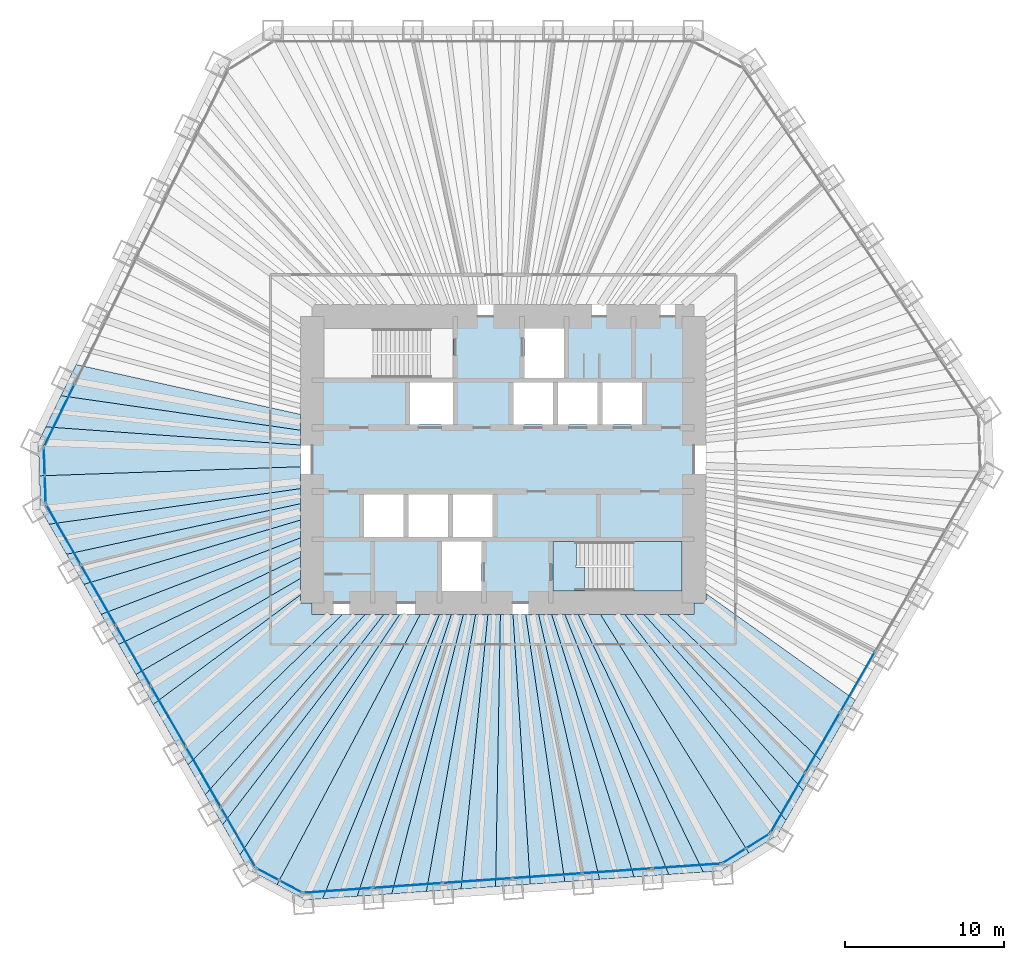
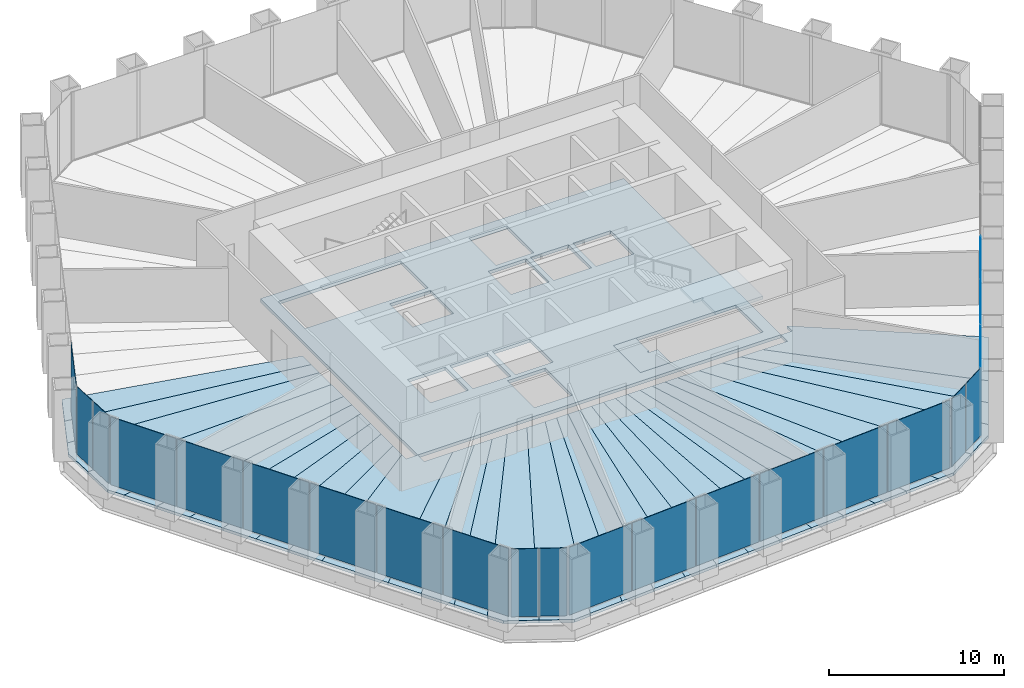
# One storey, part 8 of 13: 35 slabs, 22 plates, 8 elements without a shape of their own.
"""IFC4 building model written with IfcOpenShell, lengths in metres."""

from ifc_helpers import new_model, si_unit, direction, frame, origin, origin_2d, place, context, subcontext, project, spatial, polyline, rectangle, outline, extrude, material, layer, layer_set, type_object, element, aggregate, save


model = new_model("IFC4")

# Units and contexts
model_context = context("Model", 3, precision=1e-05, world=origin(), true_north=direction((0.0, 1.0)))
body_context = subcontext(model_context, "Body", "Model", "MODEL_VIEW")
ifc_project = project(units=[si_unit("LENGTHUNIT", "METRE"), si_unit("AREAUNIT", "SQUARE_METRE"), si_unit("VOLUMEUNIT", "CUBIC_METRE"), si_unit("PLANEANGLEUNIT", "RADIAN"), si_unit("MASSUNIT", "GRAM", prefix="KILO")], contexts=[model_context])

# Site, building, storey
site_placement = place(None, origin())
site = spatial("IfcSite", under=ifc_project, at=site_placement, CompositionType="ELEMENT")
building_placement = place(site_placement, origin())
building = spatial("IfcBuilding", under=site, at=building_placement, Name="Qingtian Harvest Tower", CompositionType="ELEMENT")
storey_placement = place(building_placement, frame((0.0, 0.0, 72.0)))
storey = spatial("IfcBuildingStorey", under=building, at=storey_placement, Name="L14", CompositionType="ELEMENT", Elevation=72.0)

# Slabs
ifc_material_1 = material(Name="Concrete fc' 35 MPa", Category="concrete")
ifc_layer_1 = layer(ifc_material_1, 0.199951171875)
ifc_layer_set_1 = layer_set([ifc_layer_1], Name="Composite floor slab FS20 200")
slab_type_1 = type_object("IfcSlabType", Name="Composite floor slab FS20 200", PredefinedType="FLOOR", material=ifc_layer_set_1)
slab_1_placement = place(storey_placement, frame((0.0, 0.0, -0.199951171875)))
element("IfcSlab", 1, at=slab_1_placement, inside=storey, type_object=slab_type_1, Name="Floor slab L14 panel D01", PredefinedType="FLOOR", context=body_context, shape_type="SweptSolid", body=[
    extrude(outline(polyline([(-29.157470703125, -1.018310546875), (-12.75, -0.447509765625), (-12.75, -1.822998046875), (-28.548583984375, -4.062255859375), (-29.08349609375, -3.135986328125), (-29.157470703125, -1.018310546875)])), origin(), (0.0, 0.0, 1.0), 0.199951171875),
])
slab_2_placement = place(storey_placement, frame((0.0, 0.0, -0.199951171875)))
element("IfcSlab", 2, at=slab_2_placement, inside=storey, type_object=slab_type_1, Name="Floor slab L14 panel D02", PredefinedType="FLOOR", context=body_context, shape_type="SweptSolid", body=[
    extrude(outline(polyline([(-12.75, -2.773681640625), (-27.45751953125, -5.9521484375), (-28.548583984375, -4.062255859375), (-12.75, -1.822998046875), (-12.75, -2.773681640625)])), origin(), (0.0, 0.0, 1.0), 0.199951171875),
])
slab_3_placement = place(storey_placement, frame((0.0, 0.0, -0.199951171875)))
element("IfcSlab", 3, at=slab_3_placement, inside=storey, type_object=slab_type_1, Name="Floor slab L14 panel D03", PredefinedType="FLOOR", context=body_context, shape_type="SweptSolid", body=[
    extrude(outline(polyline([(-12.75, -3.80322265625), (-26.366455078125, -7.842041015625), (-27.45751953125, -5.9521484375), (-12.75, -2.773681640625), (-12.75, -3.80322265625)])), origin(), (0.0, 0.0, 1.0), 0.199951171875),
])
slab_4_placement = place(storey_placement, frame((0.0, 0.0, -0.199951171875)))
element("IfcSlab", 4, at=slab_4_placement, inside=storey, type_object=slab_type_1, Name="Floor slab L14 panel D04", PredefinedType="FLOOR", context=body_context, shape_type="SweptSolid", body=[
    extrude(outline(polyline([(-12.75, -4.921875), (-25.275146484375, -9.732177734375), (-26.366455078125, -7.842041015625), (-12.75, -3.80322265625), (-12.75, -4.921875)])), origin(), (0.0, 0.0, 1.0), 0.199951171875),
])
slab_5_placement = place(storey_placement, frame((0.0, 0.0, -0.199951171875)))
element("IfcSlab", 5, at=slab_5_placement, inside=storey, type_object=slab_type_1, Name="Floor slab L14 panel D05", PredefinedType="FLOOR", context=body_context, shape_type="SweptSolid", body=[
    extrude(outline(polyline([(-12.75, -6.141357421875), (-24.18408203125, -11.6220703125), (-25.275146484375, -9.732177734375), (-12.75, -4.921875), (-12.75, -6.141357421875)])), origin(), (0.0, 0.0, 1.0), 0.199951171875),
])
slab_6_placement = place(storey_placement, frame((0.0, 0.0, -0.199951171875)))
element("IfcSlab", 6, at=slab_6_placement, inside=storey, type_object=slab_type_1, Name="Floor slab L14 panel D06", PredefinedType="FLOOR", context=body_context, shape_type="SweptSolid", body=[
    extrude(outline(polyline([(-12.75, -7.4765625), (-23.0927734375, -13.511962890625), (-24.18408203125, -11.6220703125), (-12.75, -6.141357421875), (-12.75, -7.4765625)])), origin(), (0.0, 0.0, 1.0), 0.199951171875),
])
slab_7_placement = place(storey_placement, frame((0.0, 0.0, -0.199951171875)))
element("IfcSlab", 7, at=slab_7_placement, inside=storey, type_object=slab_type_1, Name="Floor slab L14 panel D07", PredefinedType="FLOOR", context=body_context, shape_type="SweptSolid", body=[
    extrude(outline(polyline([(-12.75, -8.512451171875), (-22.00537109375, -15.3955078125), (-23.0927734375, -13.511962890625), (-12.75, -7.4765625), (-12.75, -8.512451171875)])), origin(), (0.0, 0.0, 1.0), 0.199951171875),
])
slab_8_placement = place(storey_placement, frame((0.0, 0.0, -0.199951171875)))
element("IfcSlab", 8, at=slab_8_placement, inside=storey, type_object=slab_type_1, Name="Floor slab L14 panel D09", PredefinedType="FLOOR", context=body_context, shape_type="SweptSolid", body=[
    extrude(outline(polyline([(-19.81982421875, -19.18115234375), (-22.00537109375, -15.3955078125), (-12.75, -8.512451171875), (-12.75, -9.0), (-12.0, -9.0), (-12.0, -9.75), (-10.1123046875, -9.75), (-19.81982421875, -19.18115234375)])), origin(), (0.0, 0.0, 1.0), 0.199951171875),
])
slab_9_placement = place(storey_placement, frame((0.0, 0.0, -0.199951171875)))
element("IfcSlab", 9, at=slab_9_placement, inside=storey, type_object=slab_type_1, Name="Floor slab L14 panel D10", PredefinedType="FLOOR", context=body_context, shape_type="SweptSolid", body=[
    extrude(outline(polyline([(-8.694580078125, -9.75), (-18.728515625, -21.0712890625), (-19.81982421875, -19.18115234375), (-10.1123046875, -9.75), (-8.694580078125, -9.75)])), origin(), (0.0, 0.0, 1.0), 0.199951171875),
])
slab_10_placement = place(storey_placement, frame((0.0, 0.0, -0.199951171875)))
element("IfcSlab", 10, at=slab_10_placement, inside=storey, type_object=slab_type_1, Name="Floor slab L14 panel D11", PredefinedType="FLOOR", context=body_context, shape_type="SweptSolid", body=[
    extrude(outline(polyline([(-7.511474609375, -9.75), (-17.63720703125, -22.961181640625), (-18.728515625, -21.0712890625), (-8.694580078125, -9.75), (-7.511474609375, -9.75)])), origin(), (0.0, 0.0, 1.0), 0.199951171875),
])
slab_11_placement = place(storey_placement, frame((0.0, 0.0, -0.199951171875)))
element("IfcSlab", 11, at=slab_11_placement, inside=storey, type_object=slab_type_1, Name="Floor slab L14 panel D12", PredefinedType="FLOOR", context=body_context, shape_type="SweptSolid", body=[
    extrude(outline(polyline([(-6.509033203125, -9.75), (-16.546142578125, -24.851318359375), (-17.63720703125, -22.961181640625), (-7.511474609375, -9.75), (-6.509033203125, -9.75)])), origin(), (0.0, 0.0, 1.0), 0.199951171875),
])
slab_12_placement = place(storey_placement, frame((0.0, 0.0, -0.199951171875)))
element("IfcSlab", 12, at=slab_12_placement, inside=storey, type_object=slab_type_1, Name="Floor slab L14 panel D13", PredefinedType="FLOOR", context=body_context, shape_type="SweptSolid", body=[
    extrude(outline(polyline([(-6.509033203125, -9.75), (-5.213623046875, -9.75), (-14.214599609375, -26.73291015625), (-16.01123046875, -25.777587890625), (-16.546142578125, -24.851318359375), (-6.509033203125, -9.75)])), origin(), (0.0, 0.0, 1.0), 0.199951171875),
])
slab_13_placement = place(storey_placement, frame((0.0, 0.0, -0.199951171875)))
element("IfcSlab", 13, at=slab_13_placement, inside=storey, type_object=slab_type_1, Name="Floor slab L14 panel D14", PredefinedType="FLOOR", context=body_context, shape_type="SweptSolid", body=[
    extrude(outline(polyline([(-5.213623046875, -9.75), (-4.006591796875, -9.75), (-11.350341796875, -27.614013671875), (-12.417236328125, -27.688720703125), (-14.214599609375, -26.73291015625), (-5.213623046875, -9.75)])), origin(), (0.0, 0.0, 1.0), 0.199951171875),
])
slab_14_placement = place(storey_placement, frame((0.0, 0.0, -0.199951171875)))
element("IfcSlab", 14, at=slab_14_placement, inside=storey, type_object=slab_type_1, Name="Floor slab L14 panel D15", PredefinedType="FLOOR", context=body_context, shape_type="SweptSolid", body=[
    extrude(outline(polyline([(-3.255859375, -9.75), (-9.17333984375, -27.4619140625), (-11.350341796875, -27.614013671875), (-4.006591796875, -9.75), (-3.255859375, -9.75)])), origin(), (0.0, 0.0, 1.0), 0.199951171875),
])
slab_15_placement = place(storey_placement, frame((0.0, 0.0, -0.199951171875)))
element("IfcSlab", 15, at=slab_15_placement, inside=storey, type_object=slab_type_1, Name="Floor slab L14 panel D16", PredefinedType="FLOOR", context=body_context, shape_type="SweptSolid", body=[
    extrude(outline(polyline([(-2.496826171875, -9.75), (-6.996337890625, -27.3095703125), (-9.17333984375, -27.4619140625), (-3.255859375, -9.75), (-2.496826171875, -9.75)])), origin(), (0.0, 0.0, 1.0), 0.199951171875),
])
slab_16_placement = place(storey_placement, frame((0.0, 0.0, -0.199951171875)))
element("IfcSlab", 16, at=slab_16_placement, inside=storey, type_object=slab_type_1, Name="Floor slab L14 panel D17", PredefinedType="FLOOR", context=body_context, shape_type="SweptSolid", body=[
    extrude(outline(polyline([(-1.729248046875, -9.75), (-4.8193359375, -27.1572265625), (-6.996337890625, -27.3095703125), (-2.496826171875, -9.75), (-1.729248046875, -9.75)])), origin(), (0.0, 0.0, 1.0), 0.199951171875),
])
slab_17_placement = place(storey_placement, frame((0.0, 0.0, -0.199951171875)))
element("IfcSlab", 17, at=slab_17_placement, inside=storey, type_object=slab_type_1, Name="Floor slab L14 panel D18", PredefinedType="FLOOR", context=body_context, shape_type="SweptSolid", body=[
    extrude(outline(polyline([(-0.952880859375, -9.75), (-2.642333984375, -27.005126953125), (-4.8193359375, -27.1572265625), (-1.729248046875, -9.75), (-0.952880859375, -9.75)])), origin(), (0.0, 0.0, 1.0), 0.199951171875),
])
slab_18_placement = place(storey_placement, frame((0.0, 0.0, -0.199951171875)))
element("IfcSlab", 18, at=slab_18_placement, inside=storey, type_object=slab_type_1, Name="Floor slab L14 panel D19", PredefinedType="FLOOR", context=body_context, shape_type="SweptSolid", body=[
    extrude(outline(polyline([(-0.16796875, -9.75), (-0.46533203125, -26.852783203125), (-2.642333984375, -27.005126953125), (-0.952880859375, -9.75), (-0.16796875, -9.75)])), origin(), (0.0, 0.0, 1.0), 0.199951171875),
])
slab_19_placement = place(storey_placement, frame((0.0, 0.0, -0.199951171875)))
element("IfcSlab", 19, at=slab_19_placement, inside=storey, type_object=slab_type_1, Name="Floor slab L14 panel D20", PredefinedType="FLOOR", context=body_context, shape_type="SweptSolid", body=[
    extrude(outline(polyline([(0.626220703125, -9.75), (1.711669921875, -26.70068359375), (-0.46533203125, -26.852783203125), (-0.16796875, -9.75), (0.626220703125, -9.75)])), origin(), (0.0, 0.0, 1.0), 0.199951171875),
])
slab_20_placement = place(storey_placement, frame((0.0, 0.0, -0.199951171875)))
element("IfcSlab", 20, at=slab_20_placement, inside=storey, type_object=slab_type_1, Name="Floor slab L14 panel D21", PredefinedType="FLOOR", context=body_context, shape_type="SweptSolid", body=[
    extrude(outline(polyline([(1.42919921875, -9.75), (3.888671875, -26.54833984375), (1.711669921875, -26.70068359375), (0.626220703125, -9.75), (1.42919921875, -9.75)])), origin(), (0.0, 0.0, 1.0), 0.199951171875),
])
slab_21_placement = place(storey_placement, frame((0.0, 0.0, -0.199951171875)))
element("IfcSlab", 21, at=slab_21_placement, inside=storey, type_object=slab_type_1, Name="Floor slab L14 panel D22", PredefinedType="FLOOR", context=body_context, shape_type="SweptSolid", body=[
    extrude(outline(polyline([(2.24169921875, -9.75), (6.065673828125, -26.396240234375), (3.888671875, -26.54833984375), (1.42919921875, -9.75), (2.24169921875, -9.75)])), origin(), (0.0, 0.0, 1.0), 0.199951171875),
])
slab_22_placement = place(storey_placement, frame((0.0, 0.0, -0.199951171875)))
element("IfcSlab", 22, at=slab_22_placement, inside=storey, type_object=slab_type_1, Name="Floor slab L14 panel D23", PredefinedType="FLOOR", context=body_context, shape_type="SweptSolid", body=[
    extrude(outline(polyline([(3.0634765625, -9.75), (8.24267578125, -26.243896484375), (6.065673828125, -26.396240234375), (2.24169921875, -9.75), (3.0634765625, -9.75)])), origin(), (0.0, 0.0, 1.0), 0.199951171875),
])
slab_23_placement = place(storey_placement, frame((0.0, 0.0, -0.199951171875)))
element("IfcSlab", 23, at=slab_23_placement, inside=storey, type_object=slab_type_1, Name="Floor slab L14 panel D24", PredefinedType="FLOOR", context=body_context, shape_type="SweptSolid", body=[
    extrude(outline(polyline([(3.894775390625, -9.75), (10.419677734375, -26.091796875), (8.24267578125, -26.243896484375), (3.0634765625, -9.75), (3.894775390625, -9.75)])), origin(), (0.0, 0.0, 1.0), 0.199951171875),
])
slab_24_placement = place(storey_placement, frame((0.0, 0.0, -0.199951171875)))
element("IfcSlab", 24, at=slab_24_placement, inside=storey, type_object=slab_type_1, Name="Floor slab L14 panel D25", PredefinedType="FLOOR", context=body_context, shape_type="SweptSolid", body=[
    extrude(outline(polyline([(4.736083984375, -9.75), (12.5966796875, -25.939453125), (10.419677734375, -26.091796875), (3.894775390625, -9.75), (4.736083984375, -9.75)])), origin(), (0.0, 0.0, 1.0), 0.199951171875),
])
slab_25_placement = place(storey_placement, frame((0.0, 0.0, -0.199951171875)))
element("IfcSlab", 25, at=slab_25_placement, inside=storey, type_object=slab_type_1, Name="Floor slab L14 panel D26", PredefinedType="FLOOR", context=body_context, shape_type="SweptSolid", body=[
    extrude(outline(polyline([(4.736083984375, -9.75), (6.136474609375, -9.75), (15.4609375, -24.74169921875), (13.663330078125, -25.864990234375), (12.5966796875, -25.939453125), (4.736083984375, -9.75)])), origin(), (0.0, 0.0, 1.0), 0.199951171875),
])
slab_26_placement = place(storey_placement, frame((0.0, 0.0, -0.199951171875)))
element("IfcSlab", 26, at=slab_26_placement, inside=storey, type_object=slab_type_1, Name="Floor slab L14 panel D27", PredefinedType="FLOOR", context=body_context, shape_type="SweptSolid", body=[
    extrude(outline(polyline([(6.136474609375, -9.75), (7.66748046875, -9.75), (17.79248046875, -22.692626953125), (17.257568359375, -23.618896484375), (15.4609375, -24.74169921875), (6.136474609375, -9.75)])), origin(), (0.0, 0.0, 1.0), 0.199951171875),
])
slab_27_placement = place(storey_placement, frame((0.0, 0.0, -0.199951171875)))
element("IfcSlab", 27, at=slab_27_placement, inside=storey, type_object=slab_type_1, Name="Floor slab L14 panel D28", PredefinedType="FLOOR", context=body_context, shape_type="SweptSolid", body=[
    extrude(outline(polyline([(8.88037109375, -9.75), (18.883544921875, -20.802734375), (17.79248046875, -22.692626953125), (7.66748046875, -9.75), (8.88037109375, -9.75)])), origin(), (0.0, 0.0, 1.0), 0.199951171875),
])
slab_28_placement = place(storey_placement, frame((0.0, 0.0, -0.199951171875)))
element("IfcSlab", 28, at=slab_28_placement, inside=storey, type_object=slab_type_1, Name="Floor slab L14 panel D29", PredefinedType="FLOOR", context=body_context, shape_type="SweptSolid", body=[
    extrude(outline(polyline([(10.337158203125, -9.75), (19.974853515625, -18.91259765625), (18.883544921875, -20.802734375), (8.88037109375, -9.75), (10.337158203125, -9.75)])), origin(), (0.0, 0.0, 1.0), 0.199951171875),
])
slab_29_placement = place(storey_placement, frame((0.0, 0.0, -0.199951171875)))
element("IfcSlab", 29, at=slab_29_placement, inside=storey, type_object=slab_type_1, Name="Floor slab L14 panel D31", PredefinedType="FLOOR", context=body_context, shape_type="SweptSolid", body=[
    extrude(outline(polyline([(12.75, -8.4091796875), (22.159423828125, -15.128662109375), (19.974853515625, -18.91259765625), (10.337158203125, -9.75), (12.0, -9.75), (12.0, -9.0), (12.75, -9.0), (12.75, -8.4091796875)])), origin(), (0.0, 0.0, 1.0), 0.199951171875),
])
slab_30_placement = place(storey_placement, frame((0.0, 0.0, -0.199951171875)))
element("IfcSlab", 30, at=slab_30_placement, inside=storey, type_object=slab_type_1, Name="Floor slab L14 panel D76", PredefinedType="FLOOR", context=body_context, shape_type="SweptSolid", body=[
    extrude(outline(polyline([(-12.75, 1.8525390625), (-27.805908203125, 4.022216796875), (-26.84912109375, 5.98388671875), (-12.75, 2.8505859375), (-12.75, 1.8525390625)])), origin(), (0.0, 0.0, 1.0), 0.199951171875),
])
slab_31_placement = place(storey_placement, frame((0.0, 0.0, -0.199951171875)))
element("IfcSlab", 31, at=slab_31_placement, inside=storey, type_object=slab_type_1, Name="Floor slab L14 panel D77", PredefinedType="FLOOR", context=body_context, shape_type="SweptSolid", body=[
    extrude(outline(polyline([(-12.75, 0.9208984375), (-28.762451171875, 2.060791015625), (-27.805908203125, 4.022216796875), (-12.75, 1.8525390625), (-12.75, 0.9208984375)])), origin(), (0.0, 0.0, 1.0), 0.199951171875),
])
slab_32_placement = place(storey_placement, frame((0.0, 0.0, -0.199951171875)))
element("IfcSlab", 32, at=slab_32_placement, inside=storey, type_object=slab_type_1, Name="Floor slab L14 panel D78", PredefinedType="FLOOR", context=body_context, shape_type="SweptSolid", body=[
    extrude(outline(polyline([(-12.75, 0.9208984375), (-12.75, -0.447509765625), (-29.157470703125, -1.018310546875), (-29.2314453125, 1.099609375), (-28.762451171875, 2.060791015625), (-12.75, 0.9208984375)])), origin(), (0.0, 0.0, 1.0), 0.199951171875),
])
ifc_material_2 = material(Name="Concrete fc' 35 MPa", Category="concrete")
ifc_layer_2 = layer(ifc_material_2, 0.219970703125)
ifc_layer_set_2 = layer_set([ifc_layer_2], Name="Core floor slab CS22 220")
slab_type_2 = type_object("IfcSlabType", Name="Core floor slab CS22 220", PredefinedType="FLOOR", material=ifc_layer_set_2)
slab_33_placement = place(storey_placement, frame((0.0, 0.0, -0.219970703125)))
element("IfcSlab", 33, at=slab_33_placement, inside=storey, type_object=slab_type_2, Name="Core floor slab L14", PredefinedType="FLOOR", context=body_context, shape_type="SweptSolid", body=[
    extrude(outline(polyline([(-12.0, -9.0), (12.0, -9.0), (12.0, 9.0), (-12.0, 9.0), (-12.0, -9.0)]), holes=[polyline([(-11.25, 5.14990234375), (-3.14990234375, 5.14990234375), (-3.14990234375, 8.25), (-11.25, 8.25), (-11.25, 5.14990234375)]), polyline([(3.14990234375, -8.25), (11.25, -8.25), (11.25, -5.14990234375), (3.14990234375, -5.14990234375), (3.14990234375, -8.25)]), polyline([(1.35009765625, 5.14990234375), (3.85009765625, 5.14990234375), (3.85009765625, 8.25), (1.35009765625, 8.25), (1.35009765625, 5.14990234375)]), polyline([(-3.85009765625, -8.25), (-1.35009765625, -8.25), (-1.35009765625, -5.14990234375), (-3.85009765625, -5.14990234375), (-3.85009765625, -8.25)]), polyline([(-5.85009765625, 2.199951171875), (-3.14990234375, 2.199951171875), (-3.14990234375, 4.85009765625), (-5.85009765625, 4.85009765625), (-5.85009765625, 2.199951171875)]), polyline([(0.64990234375, 2.199951171875), (3.14990234375, 2.199951171875), (3.14990234375, 4.85009765625), (0.64990234375, 4.85009765625), (0.64990234375, 2.199951171875)]), polyline([(3.449951171875, 2.199951171875), (5.949951171875, 2.199951171875), (5.949951171875, 4.85009765625), (3.449951171875, 4.85009765625), (3.449951171875, 2.199951171875)]), polyline([(6.25, 2.199951171875), (8.75, 2.199951171875), (8.75, 4.85009765625), (6.25, 4.85009765625), (6.25, 2.199951171875)]), polyline([(-8.75, -4.85009765625), (-6.25, -4.85009765625), (-6.25, -2.199951171875), (-8.75, -2.199951171875), (-8.75, -4.85009765625)]), polyline([(-5.949951171875, -4.85009765625), (-3.449951171875, -4.85009765625), (-3.449951171875, -2.199951171875), (-5.949951171875, -2.199951171875), (-5.949951171875, -4.85009765625)]), polyline([(-3.14990234375, -4.85009765625), (-0.64990234375, -4.85009765625), (-0.64990234375, -2.199951171875), (-3.14990234375, -2.199951171875), (-3.14990234375, -4.85009765625)])]), origin(), (0.0, 0.0, 1.0), 0.219970703125),
])

# Curtain wall, plates
ifc_material_3 = material(Name="Bronze-anodised aluminium curtain wall", Category="aluminium")
curtain_wall_type = type_object("IfcCurtainWallType", Name="Curtain wall CW2 farm reception", PredefinedType="USERDEFINED", material=ifc_material_3)
curtain_wall_1_placement = place(storey_placement, origin())
curtain_wall_1 = element("IfcCurtainWall", 34, at=curtain_wall_1_placement, inside=storey, type_object=curtain_wall_type, Name="Curtain wall CW2 L14 SE0-5", ObjectType="RECESSED CURTAIN WALL", PredefinedType="USERDEFINED")
ifc_material_4 = material(Name="Bronze-tinted laminated insulating glass", Category="glass")
ifc_layer_3 = layer(ifc_material_4, 0.030029296875)
ifc_layer_set_3 = layer_set([ifc_layer_3], Name="Glazed panel CWP tinted IGU")
plate_type = type_object("IfcPlateType", Name="Glazed panel CWP tinted IGU", PredefinedType="CURTAIN_PANEL", material=ifc_layer_set_3)
plate_1_placement = place(storey_placement, frame((22.30419921875, -13.968017578125, 0.06494140625), z_axis=(0.0, 0.0, 1.0), x_axis=(-0.5, -0.866025403784, 0.0)))
plate_1 = element("IfcPlate", 35, at=plate_1_placement, type_object=plate_type, Name="CW2 panel 4.1", PredefinedType="CURTAIN_PANEL", context=body_context, shape_type="SweptSolid", body=[
    extrude(rectangle(XDim=4.339599609375, YDim=0.030029296875, at=origin_2d()), origin(), (0.0, 0.0, 1.0), 4.735107421875),
])
plate_2_placement = place(storey_placement, frame((20.101806640625, -17.782470703125, 0.06494140625), z_axis=(0.0, 0.0, 1.0), x_axis=(-0.5, -0.866025403784, 0.0)))
plate_2 = element("IfcPlate", 36, at=plate_2_placement, type_object=plate_type, Name="CW2 panel 5.1", PredefinedType="CURTAIN_PANEL", context=body_context, shape_type="SweptSolid", body=[
    extrude(rectangle(XDim=4.339599609375, YDim=0.030029296875, at=origin_2d()), origin(), (0.0, 0.0, 1.0), 4.735107421875),
])
plate_3_placement = place(storey_placement, frame((17.90771484375, -21.5830078125, 0.06494140625), z_axis=(0.0, 0.0, 1.0), x_axis=(-0.5, -0.866025403784, 0.0)))
plate_3 = element("IfcPlate", 37, at=plate_3_placement, type_object=plate_type, Name="CW2 panel 6.1", PredefinedType="CURTAIN_PANEL", context=body_context, shape_type="SweptSolid", body=[
    extrude(rectangle(XDim=4.30712890625, YDim=0.030029296875, at=origin_2d()), origin(), (0.0, 0.0, 1.0), 4.735107421875),
])
aggregate(curtain_wall_1, [plate_1, plate_2, plate_3])

curtain_wall_2_placement = place(storey_placement, origin())
curtain_wall_2 = element("IfcCurtainWall", 38, at=curtain_wall_2_placement, inside=storey, type_object=curtain_wall_type, Name="Curtain wall CW2 L14 SEC", ObjectType="RECESSED CURTAIN WALL", PredefinedType="USERDEFINED")
plate_4_placement = place(storey_placement, frame((16.025390625, -23.9873046875, 0.06494140625), z_axis=(0.0, 0.0, 1.0), x_axis=(-0.848048096156, -0.529919264233, 0.0)))
plate_4 = element("IfcPlate", 39, at=plate_4_placement, type_object=plate_type, Name="CW2 panel 1.1", PredefinedType="CURTAIN_PANEL", context=body_context, shape_type="SweptSolid", body=[
    extrude(rectangle(XDim=1.69287109375, YDim=0.030029296875, at=origin_2d()), origin(), (0.0, 0.0, 1.0), 4.735107421875),
])
plate_5_placement = place(storey_placement, frame((14.53466796875, -24.9189453125, 0.06494140625), z_axis=(0.0, 0.0, 1.0), x_axis=(-0.848048096156, -0.529919264233, 0.0)))
plate_5 = element("IfcPlate", 40, at=plate_5_placement, type_object=plate_type, Name="CW2 panel 2.1", PredefinedType="CURTAIN_PANEL", context=body_context, shape_type="SweptSolid", body=[
    extrude(rectangle(XDim=1.69287109375, YDim=0.030029296875, at=origin_2d()), origin(), (0.0, 0.0, 1.0), 4.735107421875),
])
aggregate(curtain_wall_2, [plate_4, plate_5])

curtain_wall_3_placement = place(storey_placement, origin())
curtain_wall_3 = element("IfcCurtainWall", 41, at=curtain_wall_3_placement, inside=storey, type_object=curtain_wall_type, Name="Curtain wall CW2 L14 S0-5", ObjectType="RECESSED CURTAIN WALL", PredefinedType="USERDEFINED")
plate_6_placement = place(storey_placement, frame((11.548583984375, -25.556640625, 0.06494140625), z_axis=(0.0, 0.0, 1.0), x_axis=(-0.99756405026, -0.069756473744, 0.0)))
plate_6 = element("IfcPlate", 42, at=plate_6_placement, type_object=plate_type, Name="CW2 panel 1.1", PredefinedType="CURTAIN_PANEL", context=body_context, shape_type="SweptSolid", body=[
    extrude(rectangle(XDim=4.30712890625, YDim=0.030029296875, at=origin_2d()), origin(), (0.0, 0.0, 1.0), 4.735107421875),
])
plate_7_placement = place(storey_placement, frame((7.1708984375, -25.86279296875, 0.06494140625), z_axis=(0.0, 0.0, 1.0), x_axis=(-0.99756405026, -0.069756473744, 0.0)))
plate_7 = element("IfcPlate", 43, at=plate_7_placement, type_object=plate_type, Name="CW2 panel 2.1", PredefinedType="CURTAIN_PANEL", context=body_context, shape_type="SweptSolid", body=[
    extrude(rectangle(XDim=4.339599609375, YDim=0.030029296875, at=origin_2d()), origin(), (0.0, 0.0, 1.0), 4.735107421875),
])
plate_8_placement = place(storey_placement, frame((2.77685546875, -26.169921875, 0.06494140625), z_axis=(0.0, 0.0, 1.0), x_axis=(-0.99756405026, -0.069756473744, 0.0)))
plate_8 = element("IfcPlate", 44, at=plate_8_placement, type_object=plate_type, Name="CW2 panel 3.1", PredefinedType="CURTAIN_PANEL", context=body_context, shape_type="SweptSolid", body=[
    extrude(rectangle(XDim=4.339599609375, YDim=0.030029296875, at=origin_2d()), origin(), (0.0, 0.0, 1.0), 4.735107421875),
])
plate_9_placement = place(storey_placement, frame((-1.616943359375, -26.477294921875, 0.06494140625), z_axis=(0.0, 0.0, 1.0), x_axis=(-0.99756405026, -0.069756473744, 0.0)))
plate_9 = element("IfcPlate", 45, at=plate_9_placement, type_object=plate_type, Name="CW2 panel 4.1", PredefinedType="CURTAIN_PANEL", context=body_context, shape_type="SweptSolid", body=[
    extrude(rectangle(XDim=4.339599609375, YDim=0.030029296875, at=origin_2d()), origin(), (0.0, 0.0, 1.0), 4.735107421875),
])
plate_10_placement = place(storey_placement, frame((-6.0107421875, -26.784423828125, 0.06494140625), z_axis=(0.0, 0.0, 1.0), x_axis=(-0.99756405026, -0.069756473744, 0.0)))
plate_10 = element("IfcPlate", 46, at=plate_10_placement, type_object=plate_type, Name="CW2 panel 5.1", PredefinedType="CURTAIN_PANEL", context=body_context, shape_type="SweptSolid", body=[
    extrude(rectangle(XDim=4.339599609375, YDim=0.030029296875, at=origin_2d()), origin(), (0.0, 0.0, 1.0), 4.735107421875),
])
plate_11_placement = place(storey_placement, frame((-10.388427734375, -27.090576171875, 0.06494140625), z_axis=(0.0, 0.0, 1.0), x_axis=(-0.99756405026, -0.069756473744, 0.0)))
plate_11 = element("IfcPlate", 47, at=plate_11_placement, type_object=plate_type, Name="CW2 panel 6.1", PredefinedType="CURTAIN_PANEL", context=body_context, shape_type="SweptSolid", body=[
    extrude(rectangle(XDim=4.30712890625, YDim=0.030029296875, at=origin_2d()), origin(), (0.0, 0.0, 1.0), 4.735107421875),
])
aggregate(curtain_wall_3, [plate_6, plate_7, plate_8, plate_9, plate_10, plate_11])

curtain_wall_4_placement = place(storey_placement, origin())
curtain_wall_4 = element("IfcCurtainWall", 48, at=curtain_wall_4_placement, inside=storey, type_object=curtain_wall_type, Name="Curtain wall CW2 L14 SC", ObjectType="RECESSED CURTAIN WALL", PredefinedType="USERDEFINED")
plate_12_placement = place(storey_placement, frame((-13.350830078125, -26.84716796875, 0.06494140625), z_axis=(0.0, 0.0, 1.0), x_axis=(-0.882947592859, 0.469471562786, 0.0)))
plate_12 = element("IfcPlate", 49, at=plate_12_placement, type_object=plate_type, Name="CW2 panel 1.1", PredefinedType="CURTAIN_PANEL", context=body_context, shape_type="SweptSolid", body=[
    extrude(rectangle(XDim=1.56689453125, YDim=0.030029296875, at=origin_2d()), origin(), (0.0, 0.0, 1.0), 4.735107421875),
])
plate_13_placement = place(storey_placement, frame((-14.79150390625, -26.0810546875, 0.06494140625), z_axis=(0.0, 0.0, 1.0), x_axis=(-0.882947592859, 0.469471562786, 0.0)))
plate_13 = element("IfcPlate", 50, at=plate_13_placement, type_object=plate_type, Name="CW2 panel 2.1", PredefinedType="CURTAIN_PANEL", context=body_context, shape_type="SweptSolid", body=[
    extrude(rectangle(XDim=1.56689453125, YDim=0.030029296875, at=origin_2d()), origin(), (0.0, 0.0, 1.0), 4.735107421875),
])
aggregate(curtain_wall_4, [plate_12, plate_13])

curtain_wall_5_placement = place(storey_placement, origin())
curtain_wall_5 = element("IfcCurtainWall", 51, at=curtain_wall_5_placement, inside=storey, type_object=curtain_wall_type, Name="Curtain wall CW2 L14 SW0-5", ObjectType="RECESSED CURTAIN WALL", PredefinedType="USERDEFINED")
plate_14_placement = place(storey_placement, frame((-16.64990234375, -23.76123046875, 0.06494140625), z_axis=(0.0, 0.0, 1.0), x_axis=(-0.5, 0.866025403784, 0.0)))
plate_14 = element("IfcPlate", 52, at=plate_14_placement, type_object=plate_type, Name="CW2 panel 1.1", PredefinedType="CURTAIN_PANEL", context=body_context, shape_type="SweptSolid", body=[
    extrude(rectangle(XDim=4.30712890625, YDim=0.030029296875, at=origin_2d()), origin(), (0.0, 0.0, 1.0), 4.735107421875),
])
plate_15_placement = place(storey_placement, frame((-18.84423828125, -19.9609375, 0.06494140625), z_axis=(0.0, 0.0, 1.0), x_axis=(-0.5, 0.866025403784, 0.0)))
plate_15 = element("IfcPlate", 53, at=plate_15_placement, type_object=plate_type, Name="CW2 panel 2.1", PredefinedType="CURTAIN_PANEL", context=body_context, shape_type="SweptSolid", body=[
    extrude(rectangle(XDim=4.339599609375, YDim=0.030029296875, at=origin_2d()), origin(), (0.0, 0.0, 1.0), 4.735107421875),
])
plate_16_placement = place(storey_placement, frame((-21.04638671875, -16.146484375, 0.06494140625), z_axis=(0.0, 0.0, 1.0), x_axis=(-0.5, 0.866025403784, 0.0)))
plate_16 = element("IfcPlate", 54, at=plate_16_placement, type_object=plate_type, Name="CW2 panel 3.1", PredefinedType="CURTAIN_PANEL", context=body_context, shape_type="SweptSolid", body=[
    extrude(rectangle(XDim=4.339599609375, YDim=0.030029296875, at=origin_2d()), origin(), (0.0, 0.0, 1.0), 4.735107421875),
])
plate_17_placement = place(storey_placement, frame((-23.248779296875, -12.33203125, 0.06494140625), z_axis=(0.0, 0.0, 1.0), x_axis=(-0.5, 0.866025403784, 0.0)))
plate_17 = element("IfcPlate", 55, at=plate_17_placement, type_object=plate_type, Name="CW2 panel 4.1", PredefinedType="CURTAIN_PANEL", context=body_context, shape_type="SweptSolid", body=[
    extrude(rectangle(XDim=4.339599609375, YDim=0.030029296875, at=origin_2d()), origin(), (0.0, 0.0, 1.0), 4.735107421875),
])
plate_18_placement = place(storey_placement, frame((-25.451171875, -8.517333984375, 0.06494140625), z_axis=(0.0, 0.0, 1.0), x_axis=(-0.5, 0.866025403784, 0.0)))
plate_18 = element("IfcPlate", 56, at=plate_18_placement, type_object=plate_type, Name="CW2 panel 5.1", PredefinedType="CURTAIN_PANEL", context=body_context, shape_type="SweptSolid", body=[
    extrude(rectangle(XDim=4.339599609375, YDim=0.030029296875, at=origin_2d()), origin(), (0.0, 0.0, 1.0), 4.735107421875),
])
plate_19_placement = place(storey_placement, frame((-27.645263671875, -4.717041015625, 0.06494140625), z_axis=(0.0, 0.0, 1.0), x_axis=(-0.5, 0.866025403784, 0.0)))
plate_19 = element("IfcPlate", 57, at=plate_19_placement, type_object=plate_type, Name="CW2 panel 6.1", PredefinedType="CURTAIN_PANEL", context=body_context, shape_type="SweptSolid", body=[
    extrude(rectangle(XDim=4.30712890625, YDim=0.030029296875, at=origin_2d()), origin(), (0.0, 0.0, 1.0), 4.735107421875),
])
aggregate(curtain_wall_5, [plate_14, plate_15, plate_16, plate_17, plate_18, plate_19])

curtain_wall_6_placement = place(storey_placement, origin())
curtain_wall_6 = element("IfcCurtainWall", 58, at=curtain_wall_6_placement, inside=storey, type_object=curtain_wall_type, Name="Curtain wall CW2 L14 SWC", ObjectType="RECESSED CURTAIN WALL", PredefinedType="USERDEFINED")
plate_20_placement = place(storey_placement, frame((-28.786376953125, -1.884765625, 0.06494140625), z_axis=(0.0, 0.0, 1.0), x_axis=(-0.034899496703, 0.999390827019, 0.0)))
plate_20 = element("IfcPlate", 59, at=plate_20_placement, type_object=plate_type, Name="CW2 panel 1.1", PredefinedType="CURTAIN_PANEL", context=body_context, shape_type="SweptSolid", body=[
    extrude(rectangle(XDim=1.69287109375, YDim=0.030029296875, at=origin_2d()), origin(), (0.0, 0.0, 1.0), 4.735107421875),
])
plate_21_placement = place(storey_placement, frame((-28.84765625, -0.1279296875, 0.06494140625), z_axis=(0.0, 0.0, 1.0), x_axis=(-0.034899496703, 0.999390827019, 0.0)))
plate_21 = element("IfcPlate", 60, at=plate_21_placement, type_object=plate_type, Name="CW2 panel 2.1", PredefinedType="CURTAIN_PANEL", context=body_context, shape_type="SweptSolid", body=[
    extrude(rectangle(XDim=1.69287109375, YDim=0.030029296875, at=origin_2d()), origin(), (0.0, 0.0, 1.0), 4.735107421875),
])
aggregate(curtain_wall_6, [plate_20, plate_21])

# Curtain wall, plate
curtain_wall_7_placement = place(storey_placement, origin())
curtain_wall_7 = element("IfcCurtainWall", 61, at=curtain_wall_7_placement, inside=storey, type_object=curtain_wall_type, Name="Curtain wall CW2 L14 NW0-5", ObjectType="RECESSED CURTAIN WALL", PredefinedType="USERDEFINED")
plate_22_placement = place(storey_placement, frame((-27.906982421875, 2.777099609375, 0.06494140625), z_axis=(0.0, 0.0, 1.0), x_axis=(0.438371146789, 0.898794046299, 0.0)))
plate_22 = element("IfcPlate", 62, at=plate_22_placement, type_object=plate_type, Name="CW2 panel 1.1", PredefinedType="CURTAIN_PANEL", context=body_context, shape_type="SweptSolid", body=[
    extrude(rectangle(XDim=4.30712890625, YDim=0.030029296875, at=origin_2d()), origin(), (0.0, 0.0, 1.0), 4.735107421875),
])
aggregate(curtain_wall_7, [plate_22])

# Stair, slabs
ifc_material_5 = material(Name="Concrete fc' 35 MPa", Category="concrete")
stair_type = type_object("IfcStairType", Name="Special stair ST2 5000", PredefinedType="HALF_TURN_STAIR", material=ifc_material_5)
stair_placement = place(storey_placement, origin())
stair = element("IfcStair", 63, at=stair_placement, inside=storey, type_object=stair_type, Name="Special stair S2 L14", PredefinedType="HALF_TURN_STAIR")
ifc_material_6 = material(Name="Concrete fc' 35 MPa", Category="concrete")
ifc_layer_4 = layer(ifc_material_6, 0.199951171875)
ifc_layer_set_4 = layer_set([ifc_layer_4], Name="Stair landing SL2 200")
slab_type_3 = type_object("IfcSlabType", Name="Stair landing SL2 200", PredefinedType="LANDING", material=ifc_layer_set_4)
slab_34_placement = place(storey_placement, frame((0.0, 0.0, -0.199951171875)))
slab_34 = element("IfcSlab", 64, at=slab_34_placement, type_object=slab_type_3, Name="S2 landing 1", PredefinedType="LANDING", context=body_context, shape_type="SweptSolid", body=[
    extrude(outline(polyline([(5.155029296875, -8.25), (3.14990234375, -8.25), (3.14990234375, -5.14990234375), (4.64990234375, -5.14990234375), (4.64990234375, -6.64990234375), (4.550048828125, -6.64990234375), (4.550048828125, -6.75), (5.155029296875, -6.75), (5.155029296875, -8.25)])), origin(), (0.0, 0.0, 1.0), 0.199951171875),
])
slab_35_placement = place(storey_placement, frame((0.0, 0.0, 2.300048828125)))
slab_35 = element("IfcSlab", 65, at=slab_35_placement, type_object=slab_type_3, Name="S2 landing 2", PredefinedType="LANDING", context=body_context, shape_type="SweptSolid", body=[
    extrude(outline(polyline([(8.090087890625, -8.25), (8.090087890625, -6.75), (8.18994140625, -6.75), (8.18994140625, -6.64990234375), (7.5849609375, -6.64990234375), (7.5849609375, -5.14990234375), (11.25, -5.14990234375), (11.25, -8.25), (8.090087890625, -8.25)])), origin(), (0.0, 0.0, 1.0), 0.199951171875),
])
aggregate(stair, [slab_34, slab_35])

save(model, "model.ifc")
